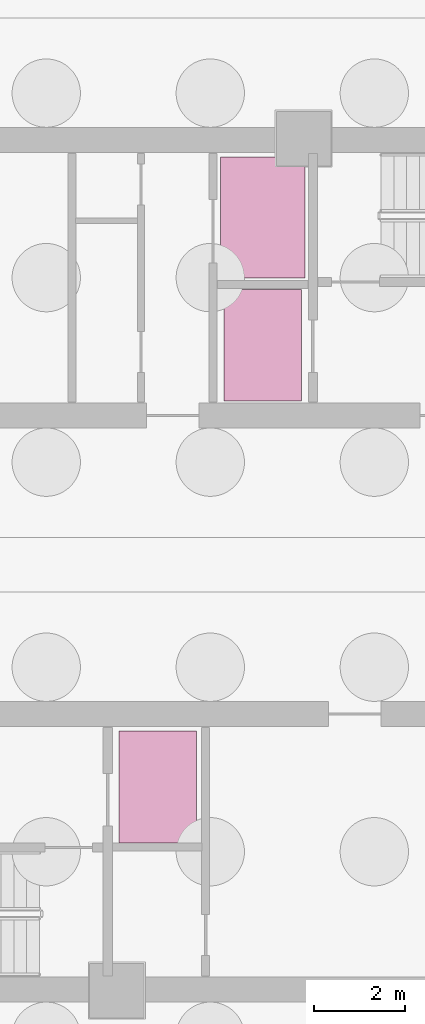
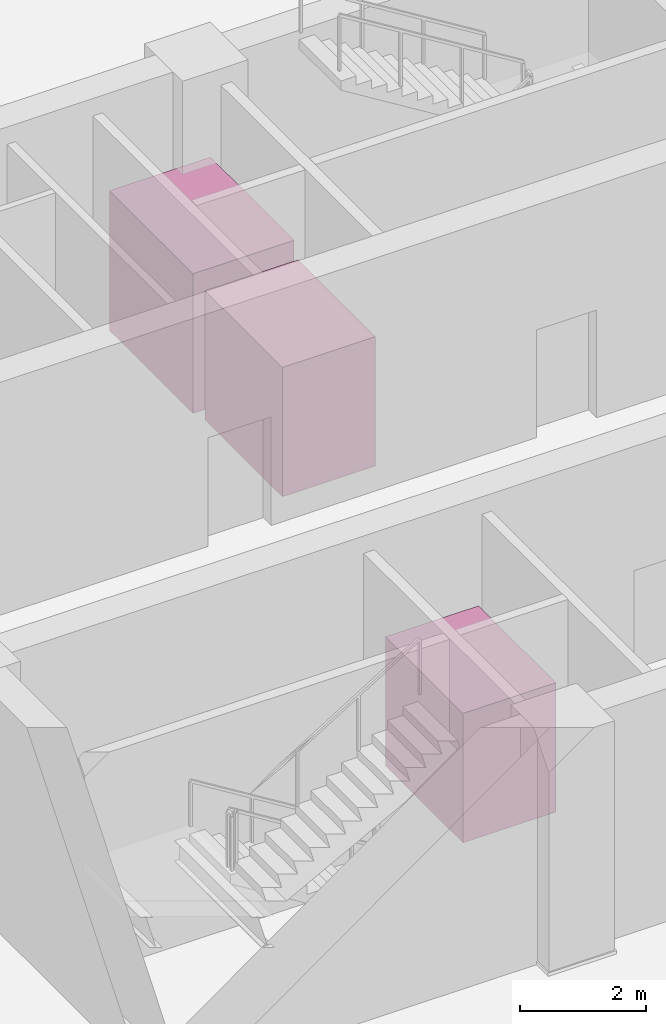
# One storey, part 8 of 8: 3 transport elements.
"""IFC4 building model written with IfcOpenShell, lengths in metres."""

from ifc_helpers import new_model, si_unit, direction, frame, origin, origin_2d, place, context, subcontext, project, spatial, rectangle, extrude, material, type_object, element, save


model = new_model("IFC4")

# Units and contexts
model_context = context("Model", 3, precision=1e-05, world=origin(), true_north=direction((0.0, 1.0)))
body_context = subcontext(model_context, "Body", "Model", "MODEL_VIEW")
ifc_project = project(units=[si_unit("LENGTHUNIT", "METRE"), si_unit("AREAUNIT", "SQUARE_METRE"), si_unit("VOLUMEUNIT", "CUBIC_METRE"), si_unit("PLANEANGLEUNIT", "RADIAN"), si_unit("MASSUNIT", "GRAM", prefix="KILO")], contexts=[model_context])

# Site, building, storey
site_placement = place(None, origin())
site = spatial("IfcSite", under=ifc_project, at=site_placement, CompositionType="ELEMENT")
building_placement = place(site_placement, origin())
building = spatial("IfcBuilding", under=site, at=building_placement, Name="Qhalaya Broadcast Tower", CompositionType="ELEMENT")
storey_placement = place(building_placement, frame((0.0, 0.0, -9.0)))
storey = spatial("IfcBuildingStorey", under=building, at=storey_placement, Name="B02", CompositionType="ELEMENT", Elevation=-9.0)

# Transport elements
ifc_material = material(Name="Brushed Stainless Steel Lift Car", Category="steel")
transport_element_type_1 = type_object("IfcTransportElementType", Name="Broadcast Goods Service Lift Car 1850x2650", PredefinedType="ELEVATOR", material=ifc_material)
transport_element_placement = place(storey_placement, frame((1.14990234375, 8.219970703125, 0.0), z_axis=(0.0, 0.0, 1.0), x_axis=(1.0, 0.0, 0.0)))
element("IfcTransportElement", 1, at=transport_element_placement, inside=storey, type_object=transport_element_type_1, Name="Lift SV1", PredefinedType="ELEVATOR", context=body_context, shape_type="SweptSolid", body=[
    extrude(rectangle(XDim=1.85009765625, YDim=2.64990234375, at=origin_2d()), origin(), (0.0, 0.0, 1.0), 2.699951171875),
])
transport_element_type_2 = type_object("IfcTransportElementType", Name="Firefighting & Stretcher Lift Car 1700x2450", PredefinedType="ELEVATOR", material=ifc_material)
for number, where, z_axis, x_axis, name in (
    (2, (1.14990234375, 5.419921875, 0.0), (0.0, 0.0, 1.0), (1.0, 0.0, 0.0), "Firefighting Lift FF1"),
    (3, (-1.14990234375, -4.280029296875, 0.0), (0.0, 0.0, 1.0), (1.0, 0.0, 0.0), "Firefighting Lift FF2"),
):
    element("IfcTransportElement", number, at=place(storey_placement, frame(where, z_axis=z_axis, x_axis=x_axis)), inside=storey, type_object=transport_element_type_2, Name=name, PredefinedType="ELEVATOR", context=body_context, shape_type="SweptSolid", body=[
        extrude(rectangle(XDim=1.699951171875, YDim=2.449951171875, at=origin_2d()), origin(), (0.0, 0.0, 1.0), 2.5),
    ])

save(model, "model.ifc")
